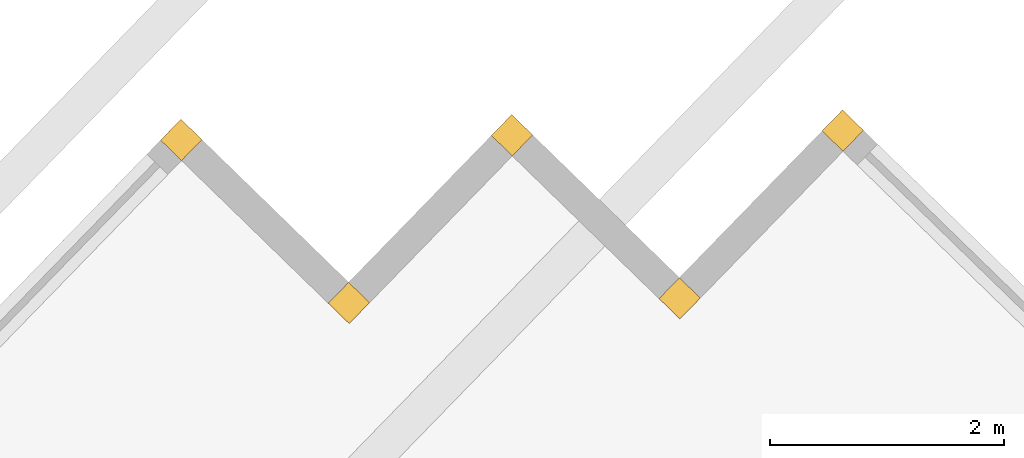
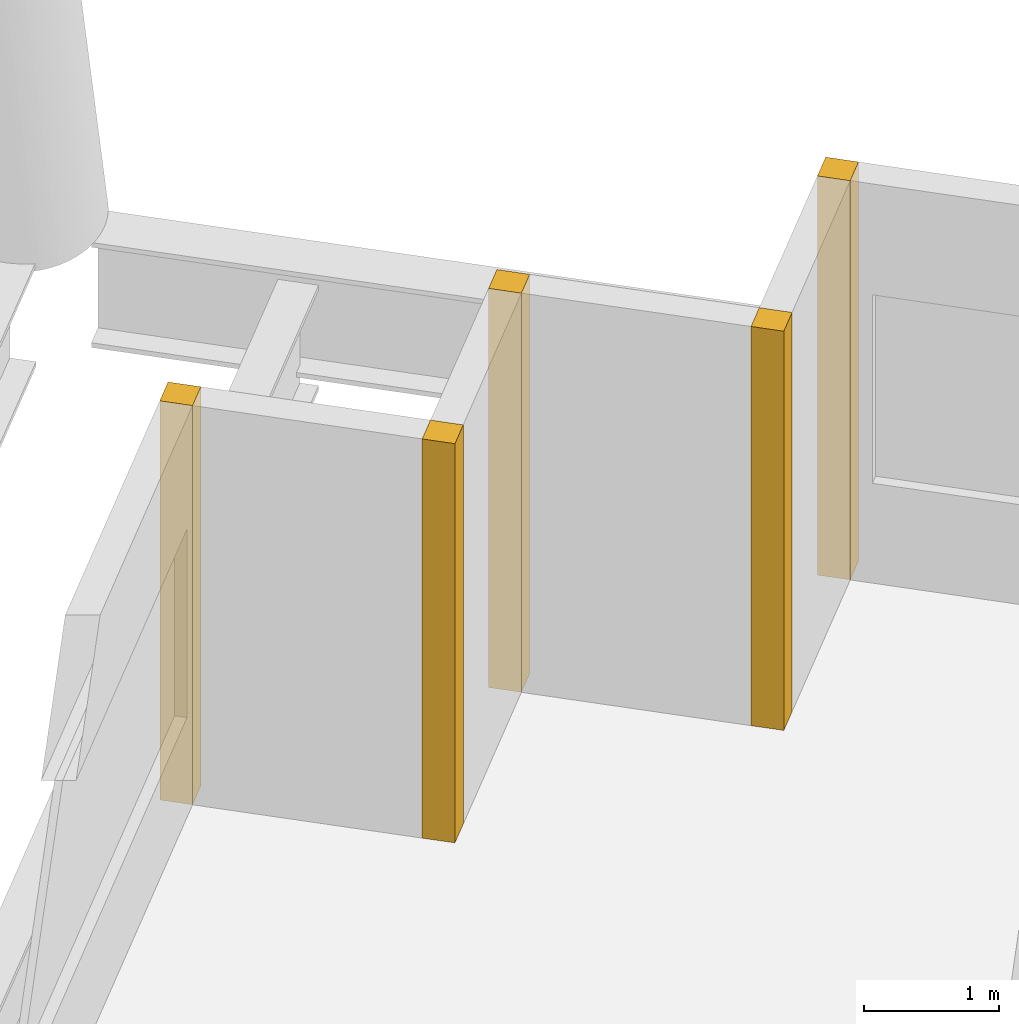
# One storey, part 12 of 12: 5 shading devices.
"""IFC4 building model written with IfcOpenShell, lengths in metres."""

from ifc_helpers import new_model, si_unit, direction, frame, origin, origin_2d, place, context, subcontext, project, spatial, rectangle, extrude, material, type_object, element, save


model = new_model("IFC4")

# Units and contexts
model_context = context("Model", 3, precision=1e-05, world=origin(), true_north=direction((0.0, 1.0)))
body_context = subcontext(model_context, "Body", "Model", "MODEL_VIEW")
ifc_project = project(units=[si_unit("LENGTHUNIT", "METRE"), si_unit("AREAUNIT", "SQUARE_METRE"), si_unit("VOLUMEUNIT", "CUBIC_METRE"), si_unit("PLANEANGLEUNIT", "RADIAN"), si_unit("MASSUNIT", "GRAM", prefix="KILO")], contexts=[model_context])

# Site, building, storey
site_placement = place(None, origin())
site = spatial("IfcSite", under=ifc_project, at=site_placement, CompositionType="ELEMENT")
building_placement = place(site_placement, origin())
building = spatial("IfcBuilding", under=site, at=building_placement, Name="Tarsis Ring Headquarters", CompositionType="ELEMENT")
storey_placement = place(building_placement, frame((0.0, 0.0, 82.89990234375)))
storey = spatial("IfcBuildingStorey", under=building, at=storey_placement, Name="L18", CompositionType="ELEMENT", Elevation=82.89990234375)

# Shading devices
ifc_material = material(Name="Terracotta baguette", Category="masonry")
shading_device_type = type_object("IfcShadingDeviceType", Name="Terracotta corner baguette 250x250", PredefinedType="USERDEFINED", material=ifc_material)
for number, where, z_axis, x_axis, name in (
    (1, (-24.609375, 40.495849609375, 0.0), (0.0, 0.0, 1.0), (-0.716910631986, 0.69716507783, 0.0), "Corner baguette L18-32"),
    (2, (-26.003662109375, 39.06201171875, 0.0), (0.0, 0.0, 1.0), (-0.697164852606, -0.716910851007, 0.0), "Corner baguette L18-33"),
    (3, (-27.4375, 40.456298828125, 0.0), (0.0, 0.0, 1.0), (-0.716910352126, 0.697165365616, 0.0), "Corner baguette L18-34"),
    (4, (-28.83203125, 39.0224609375, 0.0), (0.0, 0.0, 1.0), (-0.697165365616, -0.716910352126, 0.0), "Corner baguette L18-35"),
    (5, (-30.265625, 40.416748046875, 0.0), (0.0, 0.0, 1.0), (-0.716910851007, 0.697164852606, 0.0), "Corner baguette L18-36"),
):
    element("IfcShadingDevice", number, at=place(storey_placement, frame(where, z_axis=z_axis, x_axis=x_axis)), inside=storey, type_object=shading_device_type, Name=name, ObjectType="Terracotta corner baguette", PredefinedType="USERDEFINED", context=body_context, shape_type="SweptSolid", body=[
        extrude(rectangle(XDim=0.25, YDim=0.25, at=origin_2d()), origin(), (0.0, 0.0, 1.0), 3.60009765625),
    ])

save(model, "model.ifc")
